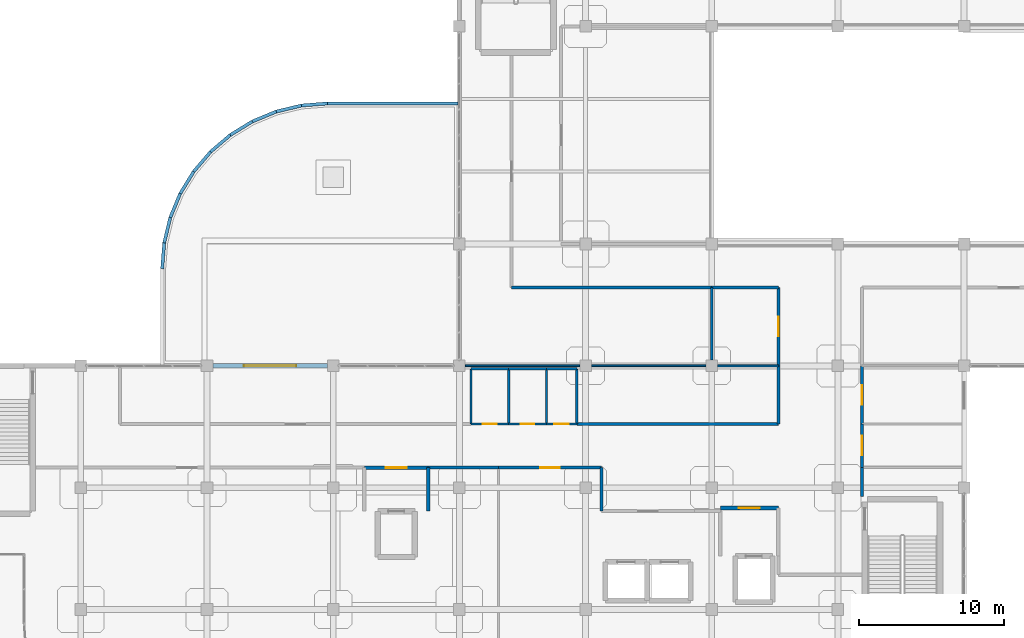
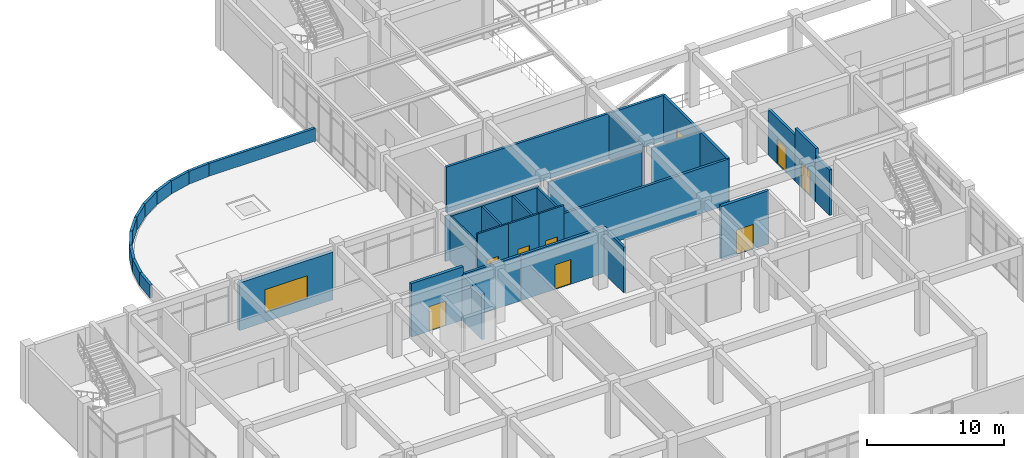
# One storey, part 105 of 124: 40 walls, 9 doors, 1 window, 10 openings.
"""IFC4 building model written with IfcOpenShell, lengths in metres."""

import ifcopenshell
import ifcopenshell.guid

model = None  # the IFC model being written
_history = None  # IfcOwnerHistory: only IFC2X3 demands one
_inside = {}  # id of a spatial element -> (the spatial element, [elements in it])
_under = {}  # id of a project, library or spatial element -> (it, [spatial elements below it])
_declared = {}  # id of a project -> (the project, [libraries it declares])
_typed = {}  # id of a type object -> (the type object, [elements of that type])
_made_of = {}  # id of a material, layer set ... -> (it, [elements and type objects made of it])


def new_model(schema):
    """Start an empty IFC model of exactly this schema.

    Asked for "IFC4X3", IfcOpenShell would pick the latest addendum, in which some entities
    have other attributes; the version numbers below select the first issue.
    IFC2X3 requires an IfcOwnerHistory on every rooted entity: one is made here for all.
    """
    global model, _history
    if schema == "IFC4X3":
        model = ifcopenshell.file(schema_version=(4, 3, 0, 0))
    else:
        model = ifcopenshell.file(schema=schema)
    _inside.clear()
    _under.clear()
    _declared.clear()
    _typed.clear()
    _made_of.clear()
    _history = None
    if model.schema == "IFC2X3":
        org = make("IfcOrganization", Name="unknown")
        user = make(
            "IfcPersonAndOrganization",
            ThePerson=make("IfcPerson", FamilyName="unknown"),
            TheOrganization=org,
        )
        app = make(
            "IfcApplication",
            ApplicationDeveloper=org,
            Version="unknown",
            ApplicationFullName="unknown",
            ApplicationIdentifier="unknown",
        )
        _history = make(
            "IfcOwnerHistory",
            OwningUser=user,
            OwningApplication=app,
            ChangeAction="ADDED",
            CreationDate=0,
        )
    return model


def make(cls, **values):
    """One entity of the class cls with the attributes given. An attribute that is None is left unset."""
    return model.create_entity(
        cls, **{name: value for name, value in values.items() if value is not None}
    )


def rooted(cls, **values):
    """An entity with a GlobalId (a new one), such as an element, a storey or a relation."""
    return make(cls, GlobalId=ifcopenshell.guid.new(), OwnerHistory=_history, **values)


def si_unit(unit_type, name, prefix=None):
    """IfcSIUnit, for example si_unit("LENGTHUNIT", "METRE", prefix="MILLI")."""
    return make("IfcSIUnit", UnitType=unit_type, Prefix=prefix, Name=name)


def derived_unit(unit_type, elements):
    """IfcDerivedUnit: a product of units, each with its exponent."""
    return make(
        "IfcDerivedUnit",
        Elements=[
            make("IfcDerivedUnitElement", Unit=unit, Exponent=power)
            for unit, power in elements
        ],
        UnitType=unit_type,
    )


def assignment(units):
    """IfcUnitAssignment: the units of a project."""
    return None if units is None else make("IfcUnitAssignment", Units=units)


def point(xyz):
    """IfcCartesianPoint."""
    return None if xyz is None else make("IfcCartesianPoint", Coordinates=xyz)


def direction(xyz):
    """IfcDirection."""
    return None if xyz is None else make("IfcDirection", DirectionRatios=xyz)


def frame(location, z_axis=None, x_axis=None):
    """IfcAxis2Placement3D, a coordinate frame: its origin and axes. An axis left out is left unset."""
    return make(
        "IfcAxis2Placement3D",
        Location=point(location),
        Axis=direction(z_axis),
        RefDirection=direction(x_axis),
    )


def frame_2d(location, x_axis=None):
    """IfcAxis2Placement2D, a coordinate frame in the plane: its origin and x axis."""
    return make(
        "IfcAxis2Placement2D", Location=point(location), RefDirection=direction(x_axis)
    )


def origin():
    """The frame at (0, 0, 0) with its axes left unset."""
    return frame((0.0, 0.0, 0.0))


def place(relative_to, where):
    """IfcLocalPlacement: puts the frame where relative to a parent placement (None: the world)."""
    return make(
        "IfcLocalPlacement", PlacementRelTo=relative_to, RelativePlacement=where
    )


def context(
    kind, dimensions, precision=None, world=None, true_north=None, identifier=None
):
    """IfcGeometricRepresentationContext, for example the 3D "Model" context."""
    return make(
        "IfcGeometricRepresentationContext",
        ContextIdentifier=identifier,
        ContextType=kind,
        CoordinateSpaceDimension=dimensions,
        Precision=precision,
        WorldCoordinateSystem=world,
        TrueNorth=true_north,
    )


def subcontext(parent, identifier, kind, view, scale=None):
    """IfcGeometricRepresentationSubContext, for example "Body" below "Model"."""
    return make(
        "IfcGeometricRepresentationSubContext",
        ContextIdentifier=identifier,
        ContextType=kind,
        ParentContext=parent,
        TargetScale=scale,
        TargetView=view,
    )


def project(units=None, contexts=None):
    """IfcProject with its units and contexts."""
    return rooted(
        "IfcProject",
        Name="project",
        RepresentationContexts=contexts,
        UnitsInContext=assignment(units),
    )


def spatial(cls, under=None, at=None, **own):
    """A site, building, storey or space (cls), placed at a placement, below another one or the project."""
    s = rooted(cls, ObjectPlacement=at, **own)
    if under is not None:
        _under.setdefault(under.id(), (under, []))[1].append(s)
    return s


def profile(cls, at=None, kind="AREA", **sizes):
    """A parametric profile (cls). Its sizes go by their IFC names, for example OverallWidth=200.0."""
    return make(cls, ProfileType=kind, Position=at, **sizes)


def rectangle(**sizes):
    """IfcRectangleProfileDef."""
    return profile("IfcRectangleProfileDef", **sizes)


def extrude(swept, where, along, depth):
    """IfcExtrudedAreaSolid: the profile swept, set in the frame where, extruded along a direction by depth."""
    return make(
        "IfcExtrudedAreaSolid",
        SweptArea=swept,
        Position=where,
        ExtrudedDirection=direction(along),
        Depth=depth,
    )


def shape(context_of_items, identifier, shape_type, items):
    """IfcShapeRepresentation: the items that make up one representation, for example the "Body"."""
    return make(
        "IfcShapeRepresentation",
        ContextOfItems=context_of_items,
        RepresentationIdentifier=identifier,
        RepresentationType=shape_type,
        Items=items,
    )


def material(Name=None, Category=None):
    """IfcMaterial."""
    return make("IfcMaterial", Name=Name, Category=Category)


def layer(
    of_material, thickness, ventilated=None, Name=None, Category=None, Priority=None
):
    """IfcMaterialLayer: one layer of a wall or slab, of a material (None: an air gap)."""
    return make(
        "IfcMaterialLayer",
        Material=of_material,
        LayerThickness=thickness,
        IsVentilated=ventilated,
        Name=Name,
        Category=Category,
        Priority=Priority,
    )


def layer_set(layers, Name=None):
    """IfcMaterialLayerSet."""
    return make("IfcMaterialLayerSet", MaterialLayers=layers, LayerSetName=Name)


def made_of(thing, what):
    """Note that an element or type object is made of a material, layer set ...; save() writes the relation."""
    if what is not None:
        _made_of.setdefault(what.id(), (what, []))[1].append(thing)
    return thing


def type_object(cls, material=None, **own):
    """A type object (cls), such as IfcWallType, which elements share."""
    return made_of(rooted(cls, **own), material)


def element(
    cls,
    number,
    at=None,
    inside=None,
    cuts=None,
    type_object=None,
    material=None,
    context=None,
    identifier="Body",
    shape_type=None,
    held_by="IfcProductDefinitionShape",
    body=None,
    shapes=None,
    **own,
):
    """One element of the class cls, such as IfcWall. Its Tag is "e" and its number.

    at: its placement. inside: the storey or other place that contains it. cuts: it is an
    opening in that element (IfcRelVoidsElement). A single representation is given by context,
    identifier, shape_type and body (its items); several are given by shapes. held_by: the class
    of the entity that holds the representations. save() writes the other relations.
    """
    e = rooted(cls, Tag="e%d" % number, ObjectPlacement=at, **own)
    if body is not None:
        shapes = [shape(context, identifier, shape_type, body)]
    if shapes is not None:
        e.Representation = make(held_by, Representations=shapes)
    if inside is not None:
        _inside.setdefault(inside.id(), (inside, []))[1].append(e)
    if cuts is not None:
        rooted(
            "IfcRelVoidsElement", RelatingBuildingElement=cuts, RelatedOpeningElement=e
        )
    if type_object is not None:
        _typed.setdefault(type_object.id(), (type_object, []))[1].append(e)
    return made_of(e, material)


def fill(opening, filler):
    """IfcRelFillsElement: the door or window that sits in an opening."""
    return rooted(
        "IfcRelFillsElement",
        RelatingOpeningElement=opening,
        RelatedBuildingElement=filler,
    )


def aggregate(whole, parts):
    """IfcRelAggregates: a whole, such as a stair, and the parts it consists of."""
    return rooted("IfcRelAggregates", RelatingObject=whole, RelatedObjects=parts)


def save(model, path):
    """Write the relations noted so far, then the file.

    IfcRelAggregates (storeys below a building ...), IfcRelContainedInSpatialStructure (elements
    in a storey), IfcRelDefinesByType, IfcRelAssociatesMaterial and IfcRelDeclares: one each for
    every whole, place, type object, material and project.
    """
    for whole, parts in _under.values():
        aggregate(whole, parts)
    for where, things in _inside.values():
        rooted(
            "IfcRelContainedInSpatialStructure",
            RelatedElements=things,
            RelatingStructure=where,
        )
    for kind, things in _typed.values():
        rooted("IfcRelDefinesByType", RelatedObjects=things, RelatingType=kind)
    for what, things in _made_of.values():
        rooted("IfcRelAssociatesMaterial", RelatedObjects=things, RelatingMaterial=what)
    for by, libraries in _declared.values():
        rooted("IfcRelDeclares", RelatingContext=by, RelatedDefinitions=libraries)
    model.write(path)


model = new_model("IFC4")

# Units and contexts
model_context = context("Model", 3, precision=1e-05, world=origin(), true_north=direction((0.0, 1.0)))
body_context = subcontext(model_context, "Body", "Model", "MODEL_VIEW")
ifc_project = project(units=[si_unit("LENGTHUNIT", "METRE"), si_unit("AREAUNIT", "SQUARE_METRE"), si_unit("VOLUMEUNIT", "CUBIC_METRE"), si_unit("PLANEANGLEUNIT", "RADIAN"), si_unit("MASSUNIT", "GRAM", prefix="KILO"), derived_unit("THERMALTRANSMITTANCEUNIT", [(si_unit("MASSUNIT", "GRAM", prefix="KILO"), 1), (si_unit("TIMEUNIT", "SECOND"), -3), (si_unit("THERMODYNAMICTEMPERATUREUNIT", "KELVIN"), -1)])], contexts=[model_context])

# Site, building, storey
site_placement = place(None, origin())
site = spatial("IfcSite", under=ifc_project, at=site_placement, CompositionType="ELEMENT")
building_placement = place(site_placement, origin())
building = spatial("IfcBuilding", under=site, at=building_placement, Name="Qinzheling Arcade Emporium", CompositionType="ELEMENT")
storey_placement = place(building_placement, frame((0.0, 0.0, 16.5)))
storey = spatial("IfcBuildingStorey", under=building, at=storey_placement, Name="L04", CompositionType="ELEMENT", Elevation=16.5)

# Wall, opening, door
ifc_material_1 = material(Name="Double-stud acoustic gypsum board partition")
ifc_layer_1 = layer(ifc_material_1, 0.215087890625, Name="Double-stud acoustic gypsum board partition")
ifc_layer_set_1 = layer_set([ifc_layer_1], Name="Double-stud acoustic gypsum board partition")
wall_type_1 = type_object("IfcWallType", Name="Acoustic Corridor Partition Wall 215", PredefinedType="PARTITIONING", material=ifc_layer_set_1)
wall_1_placement = place(storey_placement, frame((62.550048828125, 42.0, 0.0), z_axis=(0.0, 0.0, 1.0), x_axis=(0.0, -1.0, 0.0)))
wall_1 = element("IfcWall", 1, at=wall_1_placement, inside=storey, type_object=wall_type_1, Name="Interior Wall WL-L04-INT-0638", PredefinedType="PARTITIONING", context=body_context, shape_type="SweptSolid", body=[
    extrude(rectangle(XDim=4.0, YDim=0.215087890625, at=frame_2d((2.0, 0.0))), origin(), (0.0, 0.0, 1.0), 4.06005859375),
])
opening_1_placement = place(wall_1_placement, frame((1.324951171875, 0.0, 0.0)))
opening_1 = element("IfcOpeningElement", 2, at=opening_1_placement, cuts=wall_1, Name="Opening FD05", PredefinedType="OPENING", context=body_context, shape_type="SweptSolid", body=[
    extrude(rectangle(XDim=1.35009765625, YDim=2.199951171875, at=frame_2d((0.675048828125, 1.10009765625))), frame((0.0, 0.11767578125, 0.0), z_axis=(0.0, -1.0, 0.0), x_axis=(1.0, 0.0, 0.0)), (0.0, 0.0, 1.0), 0.235107421875),
])
ifc_material_2 = material(Name="Class B fire-rated stainless-clad door")
door_type_1 = type_object("IfcDoorType", Name="Kitchen Fire-Rated Service Door 1350x2200", OperationType="NOTDEFINED", PredefinedType="DOOR", material=ifc_material_2)
door_1_placement = place(opening_1_placement, origin())
door_1 = element("IfcDoor", 3, at=door_1_placement, inside=storey, type_object=door_type_1, Name="FD05 Interior Door DR-L04-INT-0175", OperationType="SINGLE_SWING_RIGHT", OverallHeight=2.199951171875, OverallWidth=1.35009765625, PredefinedType="DOOR", context=body_context, shape_type="SweptSolid", body=[
    extrude(rectangle(XDim=1.35009765625, YDim=2.199951171875, at=frame_2d((0.675048828125, 1.10009765625))), frame((0.0, 0.02490234375, 0.0), z_axis=(0.0, -1.0, 0.0), x_axis=(1.0, 0.0, 0.0)), (0.0, 0.0, 1.0), 0.050048828125),
])
fill(opening_1, door_1)

# Walls
wall_2_placement = place(storey_placement, frame((42.89990234375, 38.0, 0.0), z_axis=(0.0, 0.0, 1.0), x_axis=(1.0, 0.0, 0.0)))
element("IfcWall", 4, at=wall_2_placement, inside=storey, type_object=wall_type_1, Name="Interior Wall WL-L04-INT-0641", PredefinedType="PARTITIONING", context=body_context, shape_type="SweptSolid", body=[
    extrude(rectangle(XDim=13.900146484375, YDim=0.215087890625, at=frame_2d((6.9501953125, 0.0))), origin(), (0.0, 0.0, 1.0), 4.06005859375),
])
wall_3_placement = place(storey_placement, frame((56.800048828125, 38.0, 0.0), z_axis=(0.0, 0.0, 1.0), x_axis=(0.0, 1.0, 0.0)))
element("IfcWall", 5, at=wall_3_placement, inside=storey, type_object=wall_type_1, Name="Interior Wall WL-L04-INT-0642", PredefinedType="PARTITIONING", context=body_context, shape_type="SweptSolid", body=[
    extrude(rectangle(XDim=4.0, YDim=0.215087890625, at=frame_2d((2.0, 0.0))), origin(), (0.0, 0.0, 1.0), 4.06005859375),
])
wall_4_placement = place(storey_placement, frame((37.5, 34.97998046875, 0.0), z_axis=(0.0, 0.0, 1.0), x_axis=(-1.0, 0.0, 0.0)))
element("IfcWall", 6, at=wall_4_placement, inside=storey, type_object=wall_type_1, Name="Interior Wall WL-L04-INT-0644", PredefinedType="PARTITIONING", context=body_context, shape_type="SweptSolid", body=[
    extrude(rectangle(XDim=4.85009765625, YDim=0.215087890625, at=frame_2d((2.425048828125, 0.0))), origin(), (0.0, 0.0, 1.0), 4.06005859375),
])
wall_5_placement = place(storey_placement, frame((44.60009765625, 32.0, 0.0), z_axis=(0.0, 0.0, 1.0), x_axis=(0.0, 1.0, 0.0)))
element("IfcWall", 7, at=wall_5_placement, inside=storey, type_object=wall_type_1, Name="Interior Wall WL-L04-INT-0645", PredefinedType="PARTITIONING", context=body_context, shape_type="SweptSolid", body=[
    extrude(rectangle(XDim=2.97998046875, YDim=0.215087890625, at=frame_2d((1.489990234375, 0.0))), origin(), (0.0, 0.0, 1.0), 4.06005859375),
])

# Wall, opening, door
wall_6_placement = place(storey_placement, frame((44.60009765625, 34.97998046875, 0.0), z_axis=(0.0, 0.0, 1.0), x_axis=(-1.0, 0.0, 0.0)))
wall_6 = element("IfcWall", 8, at=wall_6_placement, inside=storey, type_object=wall_type_1, Name="Interior Wall WL-L04-INT-0646", PredefinedType="PARTITIONING", context=body_context, shape_type="SweptSolid", body=[
    extrude(rectangle(XDim=7.10009765625, YDim=0.215087890625, at=frame_2d((3.550048828125, 0.0))), origin(), (0.0, 0.0, 1.0), 4.06005859375),
])
opening_2_placement = place(wall_6_placement, frame((2.875, 0.0, 0.0)))
opening_2 = element("IfcOpeningElement", 9, at=opening_2_placement, cuts=wall_6, Name="Opening FD05", PredefinedType="OPENING", context=body_context, shape_type="SweptSolid", body=[
    extrude(rectangle(XDim=1.35009765625, YDim=2.199951171875, at=frame_2d((0.675048828125, 1.10009765625))), frame((0.0, 0.11767578125, 0.0), z_axis=(0.0, -1.0, 0.0), x_axis=(1.0, 0.0, 0.0)), (0.0, 0.0, 1.0), 0.235107421875),
])
door_2_placement = place(opening_2_placement, origin())
door_2 = element("IfcDoor", 10, at=door_2_placement, inside=storey, type_object=door_type_1, Name="FD05 Interior Door DR-L04-INT-0178", OperationType="SINGLE_SWING_LEFT", OverallHeight=2.199951171875, OverallWidth=1.35009765625, PredefinedType="DOOR", context=body_context, shape_type="SweptSolid", body=[
    extrude(rectangle(XDim=1.35009765625, YDim=2.199951171875, at=frame_2d((0.675048828125, 1.10009765625))), frame((0.0, 0.02490234375, 0.0), z_axis=(0.0, -1.0, 0.0), x_axis=(1.0, 0.0, 0.0)), (0.0, 0.0, 1.0), 0.050048828125),
])
fill(opening_2, door_2)

# Walls
wall_7_placement = place(storey_placement, frame((62.550048828125, 35.0, 0.0), z_axis=(0.0, 0.0, 1.0), x_axis=(0.0, -1.0, 0.0)))
element("IfcWall", 11, at=wall_7_placement, inside=storey, type_object=wall_type_1, Name="Interior Wall WL-L04-INT-0650", PredefinedType="PARTITIONING", context=body_context, shape_type="SweptSolid", body=[
    extrude(rectangle(XDim=2.0, YDim=0.215087890625, at=frame_2d((1.0, 0.0))), origin(), (0.0, 0.0, 1.0), 4.06005859375),
])
wall_8_placement = place(storey_placement, frame((52.199951171875, 47.39990234375, 0.0), z_axis=(0.0, 0.0, 1.0), x_axis=(-1.0, 0.0, 0.0)))
element("IfcWall", 12, at=wall_8_placement, inside=storey, type_object=wall_type_1, Name="Interior Wall WL-L04-INT-0651", PredefinedType="PARTITIONING", context=body_context, shape_type="SweptSolid", body=[
    extrude(rectangle(XDim=13.800048828125, YDim=0.215087890625, at=frame_2d((6.89990234375, 0.0))), origin(), (0.0, 0.0, 1.0), 4.06005859375),
])

# Wall, opening, door
wall_9_placement = place(storey_placement, frame((56.800048828125, 42.0, 0.0), z_axis=(0.0, 0.0, 1.0), x_axis=(0.0, 1.0, 0.0)))
wall_9 = element("IfcWall", 13, at=wall_9_placement, inside=storey, type_object=wall_type_1, Name="Interior Wall WL-L04-INT-0662", PredefinedType="PARTITIONING", context=body_context, shape_type="SweptSolid", body=[
    extrude(rectangle(XDim=5.39990234375, YDim=0.215087890625, at=frame_2d((2.699951171875, 0.0))), origin(), (0.0, 0.0, 1.0), 4.06005859375),
])
opening_3_placement = place(wall_9_placement, frame((2.02490234375, 0.0, 0.0)))
opening_3 = element("IfcOpeningElement", 14, at=opening_3_placement, cuts=wall_9, Name="Opening FD05", PredefinedType="OPENING", context=body_context, shape_type="SweptSolid", body=[
    extrude(rectangle(XDim=1.35009765625, YDim=2.199951171875, at=frame_2d((0.675048828125, 1.10009765625))), frame((0.0, 0.11767578125, 0.0), z_axis=(0.0, -1.0, 0.0), x_axis=(1.0, 0.0, 0.0)), (0.0, 0.0, 1.0), 0.235107421875),
])
door_3_placement = place(opening_3_placement, origin())
door_3 = element("IfcDoor", 15, at=door_3_placement, inside=storey, type_object=door_type_1, Name="FD05 Interior Door DR-L04-INT-0183", OperationType="SINGLE_SWING_RIGHT", OverallHeight=2.199951171875, OverallWidth=1.35009765625, PredefinedType="DOOR", context=body_context, shape_type="SweptSolid", body=[
    extrude(rectangle(XDim=1.35009765625, YDim=2.199951171875, at=frame_2d((0.675048828125, 1.10009765625))), frame((0.0, 0.02490234375, 0.0), z_axis=(0.0, -1.0, 0.0), x_axis=(1.0, 0.0, 0.0)), (0.0, 0.0, 1.0), 0.050048828125),
])
fill(opening_3, door_3)

# Wall
wall_10_placement = place(storey_placement, frame((56.800048828125, 47.39990234375, 0.0), z_axis=(0.0, 0.0, 1.0), x_axis=(-1.0, 0.0, 0.0)))
element("IfcWall", 16, at=wall_10_placement, inside=storey, type_object=wall_type_1, Name="Interior Wall WL-L04-INT-0663", PredefinedType="PARTITIONING", context=body_context, shape_type="SweptSolid", body=[
    extrude(rectangle(XDim=4.60009765625, YDim=0.215087890625, at=frame_2d((2.300048828125, 0.0))), origin(), (0.0, 0.0, 1.0), 4.06005859375),
])

# Wall, opening, door
wall_11_placement = place(storey_placement, frame((62.550048828125, 38.0, 0.0), z_axis=(0.0, 0.0, 1.0), x_axis=(0.0, -1.0, 0.0)))
wall_11 = element("IfcWall", 17, at=wall_11_placement, inside=storey, type_object=wall_type_1, Name="Interior Wall WL-L04-INT-0674", PredefinedType="PARTITIONING", context=body_context, shape_type="SweptSolid", body=[
    extrude(rectangle(XDim=3.0, YDim=0.215087890625, at=frame_2d((1.5, 0.0))), origin(), (0.0, 0.0, 1.0), 4.760009765625),
])
opening_4_placement = place(wall_11_placement, frame((0.824951171875, 0.0, 0.0)))
opening_4 = element("IfcOpeningElement", 18, at=opening_4_placement, cuts=wall_11, Name="Opening FD05", PredefinedType="OPENING", context=body_context, shape_type="SweptSolid", body=[
    extrude(rectangle(XDim=1.35009765625, YDim=2.199951171875, at=frame_2d((0.675048828125, 1.10009765625))), frame((0.0, 0.11767578125, 0.0), z_axis=(0.0, -1.0, 0.0), x_axis=(1.0, 0.0, 0.0)), (0.0, 0.0, 1.0), 0.235107421875),
])
door_4_placement = place(opening_4_placement, origin())
door_4 = element("IfcDoor", 19, at=door_4_placement, inside=storey, type_object=door_type_1, Name="FD05 Interior Door DR-L04-INT-0193", OperationType="SINGLE_SWING_LEFT", OverallHeight=2.199951171875, OverallWidth=1.35009765625, PredefinedType="DOOR", context=body_context, shape_type="SweptSolid", body=[
    extrude(rectangle(XDim=1.35009765625, YDim=2.199951171875, at=frame_2d((0.675048828125, 1.10009765625))), frame((0.0, 0.02490234375, 0.0), z_axis=(0.0, -1.0, 0.0), x_axis=(1.0, 0.0, 0.0)), (0.0, 0.0, 1.0), 0.050048828125),
])
fill(opening_4, door_4)

# Walls
ifc_material_3 = material(Name="Lightweight atelier partition")
ifc_layer_2 = layer(ifc_material_3, 0.14990234375, Name="Lightweight atelier partition")
ifc_layer_set_2 = layer_set([ifc_layer_2], Name="Lightweight atelier partition")
wall_type_2 = type_object("IfcWallType", Name="Atelier Partition Wall 150", PredefinedType="PARTITIONING", material=ifc_layer_set_2)
wall_12_placement = place(storey_placement, frame((52.199951171875, 47.39990234375, 0.0), z_axis=(0.0, 0.0, 1.0), x_axis=(0.0, -1.0, 0.0)))
element("IfcWall", 20, at=wall_12_placement, inside=storey, type_object=wall_type_2, Name="Interior Wall WL-L04-INT-0682", PredefinedType="PARTITIONING", context=body_context, shape_type="SweptSolid", body=[
    extrude(rectangle(XDim=4.989990234375, YDim=0.14990234375, at=frame_2d((2.4951171875, 0.0))), origin(), (0.0, 0.0, 1.0), 4.06005859375),
])
ifc_material_4 = material(Name="Galvanised stud back-of-house partition")
ifc_layer_3 = layer(ifc_material_4, 0.1201171875, Name="Galvanised stud back-of-house partition")
ifc_layer_set_3 = layer_set([ifc_layer_3], Name="Galvanised stud back-of-house partition")
wall_type_3 = type_object("IfcWallType", Name="Back-of-House Partition Wall 120", PredefinedType="PARTITIONING", material=ifc_layer_set_3)
for number, where, z_axis, x_axis, name in (
    (21, (35.2099609375, 42.0, 0.0), (0.0, 0.0, 1.0), (1.0, 0.0, 0.0), "Interior Wall WL-L04-INT-0677"),
    (22, (43.909912109375, 42.0, 0.0), (0.0, 0.0, 1.0), (1.0, 0.0, 0.0), "Interior Wall WL-L04-INT-0678"),
):
    element("IfcWall", number, at=place(storey_placement, frame(where, z_axis=z_axis, x_axis=x_axis)), inside=storey, type_object=wall_type_3, Name=name, PredefinedType="PARTITIONING", context=body_context, shape_type="SweptSolid", body=[
        extrude(rectangle(XDim=7.880126953125, YDim=0.1201171875, at=frame_2d((3.93994140625, 0.0))), origin(), (0.0, 0.0, 1.0), 4.06005859375),
    ])
ifc_material_5 = material(Name="Glazed-transom steel-stud office partition", Category="steel")
ifc_layer_4 = layer(ifc_material_5, 0.135009765625, Name="Glazed-transom steel-stud office partition", Category="steel")
ifc_layer_set_4 = layer_set([ifc_layer_4], Name="Glazed-transom steel-stud office partition")
wall_type_4 = type_object("IfcWallType", Name="Buying Office Acoustic Partition Wall 135", PredefinedType="PARTITIONING", material=ifc_layer_set_4)
wall_13_placement = place(storey_placement, frame((52.610107421875, 42.0, 0.0), z_axis=(0.0, 0.0, 1.0), x_axis=(1.0, 0.0, 0.0)))
element("IfcWall", 23, at=wall_13_placement, inside=storey, type_object=wall_type_4, Name="Interior Wall WL-L04-INT-0679", PredefinedType="PARTITIONING", context=body_context, shape_type="SweptSolid", body=[
    extrude(rectangle(XDim=4.18994140625, YDim=0.135009765625, at=frame_2d((2.094970703125, 0.0))), origin(), (0.0, 0.0, 1.0), 4.06005859375),
])

# Wall, opening, door
ifc_material_6 = material(Name="Fire-rated double-stud gypsum and mineral wool wall")
ifc_layer_5 = layer(ifc_material_6, 0.2451171875, Name="Fire-rated double-stud gypsum and mineral wool wall")
ifc_layer_set_5 = layer_set([ifc_layer_5], Name="Fire-rated double-stud gypsum and mineral wool wall")
wall_type_5 = type_object("IfcWallType", Name="Firefighting Lobby Rated Wall 245", PredefinedType="STANDARD", material=ifc_layer_set_5)
wall_14_placement = place(storey_placement, frame((52.800048828125, 32.199951171875, 0.0), z_axis=(0.0, 0.0, 1.0), x_axis=(1.0, 0.0, 0.0)))
wall_14 = element("IfcWall", 24, at=wall_14_placement, inside=storey, type_object=wall_type_5, Name="Interior Wall WL-L04-INT-0589", PredefinedType="STANDARD", context=body_context, shape_type="SweptSolid", body=[
    extrude(rectangle(XDim=4.0, YDim=0.2451171875, at=frame_2d((2.0, 0.0))), origin(), (0.0, 0.0, 1.0), 4.760009765625),
])
opening_5_placement = place(wall_14_placement, frame((1.27490234375, 0.0, 0.0)))
opening_5 = element("IfcOpeningElement", 25, at=opening_5_placement, cuts=wall_14, Name="Opening FD02", PredefinedType="OPENING", context=body_context, shape_type="SweptSolid", body=[
    extrude(rectangle(XDim=1.449951171875, YDim=2.199951171875, at=frame_2d((0.72509765625, 1.10009765625))), frame((0.0, 0.132568359375, 0.0), z_axis=(0.0, -1.0, 0.0), x_axis=(1.0, 0.0, 0.0)), (0.0, 0.0, 1.0), 0.26513671875),
])
ifc_material_7 = material(Name="Class A fire-rated steel double door", Category="steel")
door_type_2 = type_object("IfcDoorType", Name="Firefighting Lobby Fire Door 1450x2200", OperationType="DOUBLE_DOOR_SINGLE_SWING", PredefinedType="DOOR", material=ifc_material_7)
door_5_placement = place(opening_5_placement, origin())
door_5 = element("IfcDoor", 26, at=door_5_placement, inside=storey, type_object=door_type_2, Name="FD02 Interior Door DR-L04-INT-0163", OperationType="DOUBLE_DOOR_SINGLE_SWING", OverallHeight=2.199951171875, OverallWidth=1.449951171875, PredefinedType="DOOR", context=body_context, shape_type="SweptSolid", body=[
    extrude(rectangle(XDim=1.449951171875, YDim=2.199951171875, at=frame_2d((0.72509765625, 1.10009765625))), frame((0.0, 0.02490234375, 0.0), z_axis=(0.0, -1.0, 0.0), x_axis=(1.0, 0.0, 0.0)), (0.0, 0.0, 1.0), 0.050048828125),
])
fill(opening_5, door_5)

wall_15_placement = place(storey_placement, frame((28.25, 34.97998046875, 0.0), z_axis=(0.0, 0.0, 1.0), x_axis=(1.0, 0.0, 0.0)))
wall_15 = element("IfcWall", 27, at=wall_15_placement, inside=storey, type_object=wall_type_5, Name="Interior Wall WL-L04-INT-0592", PredefinedType="STANDARD", context=body_context, shape_type="SweptSolid", body=[
    extrude(rectangle(XDim=4.39990234375, YDim=0.2451171875, at=frame_2d((2.199951171875, 0.0))), origin(), (0.0, 0.0, 1.0), 4.760009765625),
])
opening_6_placement = place(wall_15_placement, frame((1.47509765625, 0.0, 0.0)))
opening_6 = element("IfcOpeningElement", 28, at=opening_6_placement, cuts=wall_15, Name="Opening FD02", PredefinedType="OPENING", context=body_context, shape_type="SweptSolid", body=[
    extrude(rectangle(XDim=1.449951171875, YDim=2.199951171875, at=frame_2d((0.72509765625, 1.10009765625))), frame((0.0, 0.132568359375, 0.0), z_axis=(0.0, -1.0, 0.0), x_axis=(1.0, 0.0, 0.0)), (0.0, 0.0, 1.0), 0.26513671875),
])
door_6_placement = place(opening_6_placement, origin())
door_6 = element("IfcDoor", 29, at=door_6_placement, inside=storey, type_object=door_type_2, Name="FD02 Interior Door DR-L04-INT-0164", OperationType="DOUBLE_DOOR_SINGLE_SWING", OverallHeight=2.199951171875, OverallWidth=1.449951171875, PredefinedType="DOOR", context=body_context, shape_type="SweptSolid", body=[
    extrude(rectangle(XDim=1.449951171875, YDim=2.199951171875, at=frame_2d((0.72509765625, 1.10009765625))), frame((0.0, 0.02490234375, 0.0), z_axis=(0.0, -1.0, 0.0), x_axis=(1.0, 0.0, 0.0)), (0.0, 0.0, 1.0), 0.050048828125),
])
fill(opening_6, door_6)

# Walls
wall_16_placement = place(storey_placement, frame((32.64990234375, 34.97998046875, 0.0), z_axis=(0.0, 0.0, 1.0), x_axis=(0.0, -1.0, 0.0)))
element("IfcWall", 30, at=wall_16_placement, inside=storey, type_object=wall_type_5, Name="Interior Wall WL-L04-INT-0594", PredefinedType="STANDARD", context=body_context, shape_type="SweptSolid", body=[
    extrude(rectangle(XDim=3.0, YDim=0.2451171875, at=frame_2d((1.5, 0.0))), origin(), (0.0, 0.0, 1.0), 4.06005859375),
])
ifc_material_8 = material(Name="Moisture-resistant shaftliner gypsum board")
ifc_layer_6 = layer(ifc_material_8, 0.155029296875, Name="Moisture-resistant shaftliner gypsum board")
ifc_layer_set_6 = layer_set([ifc_layer_6], Name="Moisture-resistant shaftliner gypsum board")
wall_type_6 = type_object("IfcWallType", Name="Plumbing and Service Riser Wall 155", PredefinedType="MOVABLE", material=ifc_layer_set_6)
wall_17_placement = place(storey_placement, frame((38.199951171875, 41.800048828125, 0.0), z_axis=(0.0, 0.0, 1.0), x_axis=(0.0, -1.0, 0.0)))
element("IfcWall", 31, at=wall_17_placement, inside=storey, type_object=wall_type_6, Name="Interior Wall WL-L04-INT-0607", PredefinedType="MOVABLE", context=body_context, shape_type="SweptSolid", body=[
    extrude(rectangle(XDim=3.800048828125, YDim=0.155029296875, at=frame_2d((1.89990234375, 0.0))), origin(), (0.0, 0.0, 1.0), 4.06005859375),
])
wall_18_placement = place(storey_placement, frame((35.60009765625, 41.800048828125, 0.0), z_axis=(0.0, 0.0, 1.0), x_axis=(1.0, 0.0, 0.0)))
element("IfcWall", 32, at=wall_18_placement, inside=storey, type_object=wall_type_6, Name="Interior Wall WL-L04-INT-0610", PredefinedType="MOVABLE", context=body_context, shape_type="SweptSolid", body=[
    extrude(rectangle(XDim=2.599853515625, YDim=0.155029296875, at=frame_2d((1.2998046875, 0.0))), origin(), (0.0, 0.0, 1.0), 4.06005859375),
])
wall_19_placement = place(storey_placement, frame((38.199951171875, 41.800048828125, 0.0), z_axis=(0.0, 0.0, 1.0), x_axis=(1.0, 0.0, 0.0)))
element("IfcWall", 33, at=wall_19_placement, inside=storey, type_object=wall_type_6, Name="Interior Wall WL-L04-INT-0613", PredefinedType="MOVABLE", context=body_context, shape_type="SweptSolid", body=[
    extrude(rectangle(XDim=2.60009765625, YDim=0.155029296875, at=frame_2d((1.300048828125, 0.0))), origin(), (0.0, 0.0, 1.0), 4.06005859375),
])
wall_20_placement = place(storey_placement, frame((42.89990234375, 41.800048828125, 0.0), z_axis=(0.0, 0.0, 1.0), x_axis=(0.0, -1.0, 0.0)))
element("IfcWall", 34, at=wall_20_placement, inside=storey, type_object=wall_type_6, Name="Interior Wall WL-L04-INT-0616", PredefinedType="MOVABLE", context=body_context, shape_type="SweptSolid", body=[
    extrude(rectangle(XDim=3.800048828125, YDim=0.155029296875, at=frame_2d((1.89990234375, 0.0))), origin(), (0.0, 0.0, 1.0), 4.06005859375),
])

# Wall, opening, window
ifc_material_9 = material(Name="Glazed cream terracotta insulated wall", Category="masonry")
ifc_layer_7 = layer(ifc_material_9, 0.300048828125, Name="Glazed cream terracotta insulated wall", Category="masonry")
ifc_layer_set_7 = layer_set([ifc_layer_7], Name="Glazed cream terracotta insulated wall")
wall_type_7 = type_object("IfcWallType", Name="Terrace Facade Infill Wall 300", PredefinedType="STANDARD", material=ifc_layer_set_7)
wall_21_placement = place(storey_placement, frame((17.802001953125, 42.0, 0.0), z_axis=(0.0, 0.0, 1.0), x_axis=(1.0, 0.0, 0.0)))
wall_21 = element("IfcWall", 35, at=wall_21_placement, inside=storey, type_object=wall_type_7, Name="Exterior Wall WL-L04-EW-0235", PredefinedType="STANDARD", context=body_context, shape_type="SweptSolid", body=[
    extrude(rectangle(XDim=7.89599609375, YDim=0.300048828125, at=frame_2d((3.947998046875, 0.0))), origin(), (0.0, 0.0, 1.0), 4.2548828125),
])
opening_7_placement = place(wall_21_placement, frame((2.14794921875, 0.0, 0.85009765625)))
opening_7 = element("IfcOpeningElement", 36, at=opening_7_placement, cuts=wall_21, Name="Opening WN27", PredefinedType="OPENING", context=body_context, shape_type="SweptSolid", body=[
    extrude(rectangle(XDim=3.60009765625, YDim=2.050048828125, at=frame_2d((1.800048828125, 1.02490234375))), frame((0.0, 0.16015625, 0.0), z_axis=(0.0, -1.0, 0.0), x_axis=(1.0, 0.0, 0.0)), (0.0, 0.0, 1.0), 0.320068359375),
])
ifc_material_10 = material(Name="Thermally broken aluminium frame with solar-control double glazing", Category="aluminium")
window_type = type_object("IfcWindowType", Name="Chicago Tripartite Window 3600x2050", PartitioningType="TRIPLE_PANEL_VERTICAL", PredefinedType="WINDOW", material=ifc_material_10)
window_placement = place(opening_7_placement, origin())
window = element("IfcWindow", 37, at=window_placement, inside=storey, type_object=window_type, Name="WN27 Window WN-L04-0061", OverallHeight=2.050048828125, OverallWidth=3.60009765625, PartitioningType="TRIPLE_PANEL_VERTICAL", PredefinedType="WINDOW", context=body_context, shape_type="SweptSolid", body=[
    extrude(rectangle(XDim=3.60009765625, YDim=2.050048828125, at=frame_2d((1.800048828125, 1.02490234375))), frame((0.0, 0.030029296875, 0.0), z_axis=(0.0, -1.0, 0.0), x_axis=(1.0, 0.0, 0.0)), (0.0, 0.0, 1.0), 0.06005859375),
])
fill(opening_7, window)

# Walls
ifc_material_11 = material(Name="Precast concrete C40 with terracotta coping", Category="masonry")
ifc_layer_8 = layer(ifc_material_11, 0.219970703125, Name="Precast concrete C40 with terracotta coping", Category="masonry")
ifc_layer_set_8 = layer_set([ifc_layer_8], Name="Precast concrete C40 with terracotta coping")
wall_type_8 = type_object("IfcWallType", Name="Terracotta Coping Roof Parapet 220", PredefinedType="PARAPET", material=ifc_layer_set_8)
wall_22_placement = place(storey_placement, frame((14.31005859375, 48.696044921875, 0.0), z_axis=(0.0, 0.0, 1.0), x_axis=(0.078634766264, 0.996903492588, 0.0)))
element("IfcWall", 38, at=wall_22_placement, inside=storey, type_object=wall_type_8, Name="Roof Parapet WL-L04-PW-002", PredefinedType="PARAPET", context=body_context, shape_type="SweptSolid", body=[
    extrude(rectangle(XDim=1.79150390625, YDim=0.219970703125, at=frame_2d((0.895751953125, 0.0))), origin(), (0.0, 0.0, 1.0), 1.14990234375),
])
wall_23_placement = place(storey_placement, frame((14.450927734375, 50.48193359375, 0.0), z_axis=(0.0, 0.0, 1.0), x_axis=(0.233300625801, 0.972404657538, 0.0)))
element("IfcWall", 39, at=wall_23_placement, inside=storey, type_object=wall_type_8, Name="Roof Parapet WL-L04-PW-003", PredefinedType="PARAPET", context=body_context, shape_type="SweptSolid", body=[
    extrude(rectangle(XDim=1.787353515625, YDim=0.219970703125, at=frame_2d((0.8935546875, 0.0))), origin(), (0.0, 0.0, 1.0), 1.14990234375),
])
wall_24_placement = place(storey_placement, frame((14.867919921875, 52.219970703125, 0.0), z_axis=(0.0, 0.0, 1.0), x_axis=(0.382295474791, 0.924040134385, 0.0)))
element("IfcWall", 40, at=wall_24_placement, inside=storey, type_object=wall_type_8, Name="Roof Parapet WL-L04-PW-004", PredefinedType="PARAPET", context=body_context, shape_type="SweptSolid", body=[
    extrude(rectangle(XDim=1.786865234375, YDim=0.219970703125, at=frame_2d((0.8935546875, 0.0))), origin(), (0.0, 0.0, 1.0), 1.14990234375),
])
for number, where, z_axis, x_axis, name in (
    (41, (15.551025390625, 53.87109375, 0.0), (0.0, 0.0, 1.0), (0.522587680956, 0.852585547446, 0.0), "Roof Parapet WL-L04-PW-005"),
    (42, (16.485107421875, 55.39501953125, 0.0), (0.0, 0.0, 1.0), (0.649541791708, 0.760325891198, 0.0), "Roof Parapet WL-L04-PW-006"),
    (43, (17.64599609375, 56.75390625, 0.0), (0.0, 0.0, 1.0), (0.760258430424, 0.649620750107, 0.0), "Roof Parapet WL-L04-PW-007"),
):
    element("IfcWall", number, at=place(storey_placement, frame(where, z_axis=z_axis, x_axis=x_axis)), inside=storey, type_object=wall_type_8, Name=name, PredefinedType="PARAPET", context=body_context, shape_type="SweptSolid", body=[
        extrude(rectangle(XDim=1.787353515625, YDim=0.219970703125, at=frame_2d((0.8935546875, 0.0))), origin(), (0.0, 0.0, 1.0), 1.14990234375),
    ])
wall_25_placement = place(storey_placement, frame((19.0048828125, 57.9150390625, 0.0), z_axis=(0.0, 0.0, 1.0), x_axis=(0.852622842967, 0.5225268296, 0.0)))
element("IfcWall", 44, at=wall_25_placement, inside=storey, type_object=wall_type_8, Name="Roof Parapet WL-L04-PW-008", PredefinedType="PARAPET", context=body_context, shape_type="SweptSolid", body=[
    extrude(rectangle(XDim=1.78759765625, YDim=0.219970703125, at=frame_2d((0.893798828125, 0.0))), origin(), (0.0, 0.0, 1.0), 1.14990234375),
])
wall_26_placement = place(storey_placement, frame((20.529052734375, 58.84912109375, 0.0), z_axis=(0.0, 0.0, 1.0), x_axis=(0.92406843422, 0.382227064554, 0.0)))
element("IfcWall", 45, at=wall_26_placement, inside=storey, type_object=wall_type_8, Name="Roof Parapet WL-L04-PW-009", PredefinedType="PARAPET", context=body_context, shape_type="SweptSolid", body=[
    extrude(rectangle(XDim=1.78662109375, YDim=0.219970703125, at=frame_2d((0.893310546875, 0.0))), origin(), (0.0, 0.0, 1.0), 1.14990234375),
])
wall_27_placement = place(storey_placement, frame((22.179931640625, 59.531982421875, 0.0), z_axis=(0.0, 0.0, 1.0), x_axis=(0.972404657538, 0.233300625801, 0.0)))
element("IfcWall", 46, at=wall_27_placement, inside=storey, type_object=wall_type_8, Name="Roof Parapet WL-L04-PW-010", PredefinedType="PARAPET", context=body_context, shape_type="SweptSolid", body=[
    extrude(rectangle(XDim=1.787353515625, YDim=0.219970703125, at=frame_2d((0.8935546875, 0.0))), origin(), (0.0, 0.0, 1.0), 1.14990234375),
])
wall_28_placement = place(storey_placement, frame((23.91796875, 59.948974609375, 0.0), z_axis=(0.0, 0.0, 1.0), x_axis=(0.99689364559, 0.078759503438, 0.0)))
element("IfcWall", 47, at=wall_28_placement, inside=storey, type_object=wall_type_8, Name="Roof Parapet WL-L04-PW-011", PredefinedType="PARAPET", context=body_context, shape_type="SweptSolid", body=[
    extrude(rectangle(XDim=1.791748046875, YDim=0.219970703125, at=frame_2d((0.89599609375, 0.0))), origin(), (0.0, 0.0, 1.0), 1.14990234375),
])
wall_29_placement = place(storey_placement, frame((25.7041015625, 60.090087890625, 0.0), z_axis=(0.0, 0.0, 1.0), x_axis=(1.0, 0.0, 0.0)))
element("IfcWall", 48, at=wall_29_placement, inside=storey, type_object=wall_type_8, Name="Roof Parapet WL-L04-PW-012", PredefinedType="PARAPET", context=body_context, shape_type="SweptSolid", body=[
    extrude(rectangle(XDim=8.98583984375, YDim=0.219970703125, at=frame_2d((4.492919921875, 0.0))), origin(), (0.0, 0.0, 1.0), 1.14990234375),
])

# Wall, opening, door
ifc_material_12 = material(Name="Moisture-resistant cement-board WC partition")
ifc_layer_9 = layer(ifc_material_12, 0.14501953125, Name="Moisture-resistant cement-board WC partition")
ifc_layer_set_9 = layer_set([ifc_layer_9], Name="Moisture-resistant cement-board WC partition")
wall_type_9 = type_object("IfcWallType", Name="Washroom Moisture Partition Wall 145", PredefinedType="PARTITIONING", material=ifc_layer_set_9)
wall_30_placement = place(storey_placement, frame((38.199951171875, 38.0, 0.0), z_axis=(0.0, 0.0, 1.0), x_axis=(-1.0, 0.0, 0.0)))
wall_30 = element("IfcWall", 49, at=wall_30_placement, inside=storey, type_object=wall_type_9, Name="Interior Wall WL-L04-INT-0608", PredefinedType="PARTITIONING", context=body_context, shape_type="SweptSolid", body=[
    extrude(rectangle(XDim=2.599853515625, YDim=0.14501953125, at=frame_2d((1.2998046875, 0.0))), origin(), (0.0, 0.0, 1.0), 4.760009765625),
])
opening_8_placement = place(wall_30_placement, frame((0.824951171875, 0.0, 0.0)))
opening_8 = element("IfcOpeningElement", 50, at=opening_8_placement, cuts=wall_30, Name="Opening D12", PredefinedType="OPENING", context=body_context, shape_type="SweptSolid", body=[
    extrude(rectangle(XDim=0.949951171875, YDim=2.14990234375, at=frame_2d((0.47509765625, 1.074951171875))), frame((0.0, 0.08251953125, 0.0), z_axis=(0.0, -1.0, 0.0), x_axis=(1.0, 0.0, 0.0)), (0.0, 0.0, 1.0), 0.1650390625),
])
ifc_material_13 = material(Name="Antimicrobial high-pressure laminate door")
door_type_3 = type_object("IfcDoorType", Name="Public Male Washroom Door 950x2150", OperationType="NOTDEFINED", PredefinedType="DOOR", material=ifc_material_13)
door_7_placement = place(opening_8_placement, origin())
door_7 = element("IfcDoor", 51, at=door_7_placement, inside=storey, type_object=door_type_3, Name="D12 Interior Door DR-L04-INT-0170", OperationType="SINGLE_SWING_LEFT", OverallHeight=2.14990234375, OverallWidth=0.949951171875, PredefinedType="DOOR", context=body_context, shape_type="SweptSolid", body=[
    extrude(rectangle(XDim=0.949951171875, YDim=2.14990234375, at=frame_2d((0.47509765625, 1.074951171875))), frame((0.0, 0.02490234375, 0.0), z_axis=(0.0, -1.0, 0.0), x_axis=(1.0, 0.0, 0.0)), (0.0, 0.0, 1.0), 0.050048828125),
])
fill(opening_8, door_7)

# Walls
for number, where, z_axis, x_axis, name in (
    (52, (35.60009765625, 38.0, 0.0), (0.0, 0.0, 1.0), (0.0, 1.0, 0.0), "Interior Wall WL-L04-INT-0609"),
    (53, (40.800048828125, 41.800048828125, 0.0), (0.0, 0.0, 1.0), (0.0, -1.0, 0.0), "Interior Wall WL-L04-INT-0611"),
):
    element("IfcWall", number, at=place(storey_placement, frame(where, z_axis=z_axis, x_axis=x_axis)), inside=storey, type_object=wall_type_9, Name=name, PredefinedType="PARTITIONING", context=body_context, shape_type="SweptSolid", body=[
        extrude(rectangle(XDim=3.800048828125, YDim=0.14501953125, at=frame_2d((1.89990234375, 0.0))), origin(), (0.0, 0.0, 1.0), 4.06005859375),
    ])

# Wall, opening, door
wall_31_placement = place(storey_placement, frame((40.800048828125, 38.0, 0.0), z_axis=(0.0, 0.0, 1.0), x_axis=(-1.0, 0.0, 0.0)))
wall_31 = element("IfcWall", 54, at=wall_31_placement, inside=storey, type_object=wall_type_9, Name="Interior Wall WL-L04-INT-0612", PredefinedType="PARTITIONING", context=body_context, shape_type="SweptSolid", body=[
    extrude(rectangle(XDim=2.60009765625, YDim=0.14501953125, at=frame_2d((1.300048828125, 0.0))), origin(), (0.0, 0.0, 1.0), 4.760009765625),
])
opening_9_placement = place(wall_31_placement, frame((0.824951171875, 0.0, 0.0)))
opening_9 = element("IfcOpeningElement", 55, at=opening_9_placement, cuts=wall_31, Name="Opening D13", PredefinedType="OPENING", context=body_context, shape_type="SweptSolid", body=[
    extrude(rectangle(XDim=0.949951171875, YDim=2.199951171875, at=frame_2d((0.47509765625, 1.10009765625))), frame((0.0, 0.08251953125, 0.0), z_axis=(0.0, -1.0, 0.0), x_axis=(1.0, 0.0, 0.0)), (0.0, 0.0, 1.0), 0.1650390625),
])
door_type_4 = type_object("IfcDoorType", Name="Public Female Washroom Door 950x2200", OperationType="NOTDEFINED", PredefinedType="DOOR", material=ifc_material_13)
door_8_placement = place(opening_9_placement, origin())
door_8 = element("IfcDoor", 56, at=door_8_placement, inside=storey, type_object=door_type_4, Name="D13 Interior Door DR-L04-INT-0171", OperationType="SINGLE_SWING_RIGHT", OverallHeight=2.199951171875, OverallWidth=0.949951171875, PredefinedType="DOOR", context=body_context, shape_type="SweptSolid", body=[
    extrude(rectangle(XDim=0.949951171875, YDim=2.199951171875, at=frame_2d((0.47509765625, 1.10009765625))), frame((0.0, 0.02490234375, 0.0), z_axis=(0.0, -1.0, 0.0), x_axis=(1.0, 0.0, 0.0)), (0.0, 0.0, 1.0), 0.050048828125),
])
fill(opening_9, door_8)

wall_32_placement = place(storey_placement, frame((42.89990234375, 38.0, 0.0), z_axis=(0.0, 0.0, 1.0), x_axis=(-1.0, 0.0, 0.0)))
wall_32 = element("IfcWall", 57, at=wall_32_placement, inside=storey, type_object=wall_type_9, Name="Interior Wall WL-L04-INT-0614", PredefinedType="PARTITIONING", context=body_context, shape_type="SweptSolid", body=[
    extrude(rectangle(XDim=2.099853515625, YDim=0.14501953125, at=frame_2d((1.0498046875, 0.0))), origin(), (0.0, 0.0, 1.0), 4.760009765625),
])
opening_10_placement = place(wall_32_placement, frame((0.550048828125, 0.0, 0.0)))
opening_10 = element("IfcOpeningElement", 58, at=opening_10_placement, cuts=wall_32, Name="Opening D11", PredefinedType="OPENING", context=body_context, shape_type="SweptSolid", body=[
    extrude(rectangle(XDim=1.0, YDim=2.14990234375, at=frame_2d((0.5, 1.074951171875))), frame((0.0, 0.08251953125, 0.0), z_axis=(0.0, -1.0, 0.0), x_axis=(1.0, 0.0, 0.0)), (0.0, 0.0, 1.0), 0.1650390625),
])
door_type_5 = type_object("IfcDoorType", Name="Accessible Washroom Door 1000x2150", OperationType="NOTDEFINED", PredefinedType="DOOR", material=ifc_material_13)
door_9_placement = place(opening_10_placement, origin())
door_9 = element("IfcDoor", 59, at=door_9_placement, inside=storey, type_object=door_type_5, Name="D11 Interior Door DR-L04-INT-0172", OperationType="SINGLE_SWING_LEFT", OverallHeight=2.14990234375, OverallWidth=1.0, PredefinedType="DOOR", context=body_context, shape_type="SweptSolid", body=[
    extrude(rectangle(XDim=1.0, YDim=2.14990234375, at=frame_2d((0.5, 1.074951171875))), frame((0.0, 0.02490234375, 0.0), z_axis=(0.0, -1.0, 0.0), x_axis=(1.0, 0.0, 0.0)), (0.0, 0.0, 1.0), 0.050048828125),
])
fill(opening_10, door_9)

# Wall
wall_33_placement = place(storey_placement, frame((40.800048828125, 41.800048828125, 0.0), z_axis=(0.0, 0.0, 1.0), x_axis=(1.0, 0.0, 0.0)))
element("IfcWall", 60, at=wall_33_placement, inside=storey, type_object=wall_type_9, Name="Interior Wall WL-L04-INT-0615", PredefinedType="PARTITIONING", context=body_context, shape_type="SweptSolid", body=[
    extrude(rectangle(XDim=2.099853515625, YDim=0.14501953125, at=frame_2d((1.0498046875, 0.0))), origin(), (0.0, 0.0, 1.0), 4.06005859375),
])

save(model, "model.ifc")
